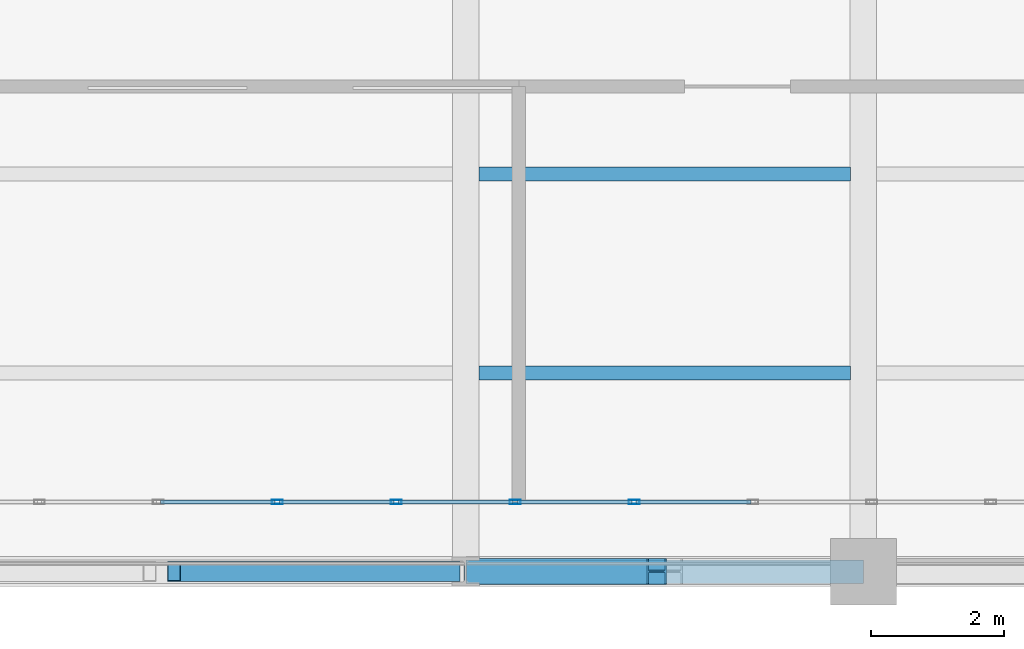
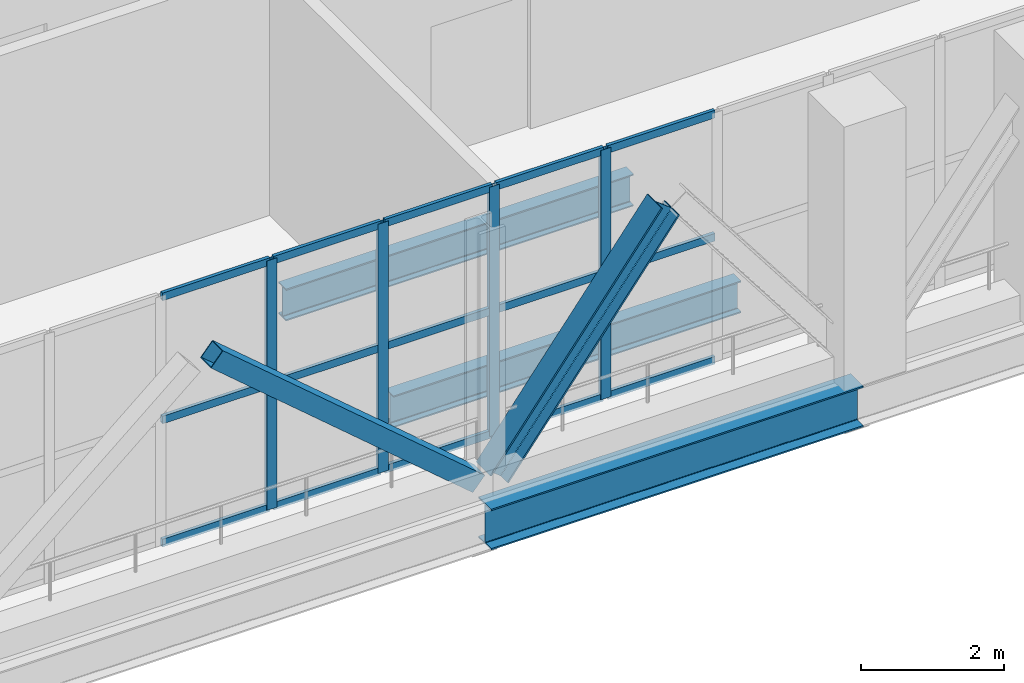
# One storey, part 12 of 27: 21 members, 3 beams, 1 element without a shape of its own.
"""IFC4 building model written with IfcOpenShell, lengths in metres."""

from ifc_helpers import new_model, si_unit, direction, frame, origin, origin_2d, place, context, subcontext, project, spatial, hollow_rectangle, i_section, extrude, material, layer, layer_set, material_profile, profile_set, type_object, element, aggregate, save


model = new_model("IFC4")

# Units and contexts
model_context = context("Model", 3, precision=1e-05, world=origin(), true_north=direction((0.0, 1.0)))
body_context = subcontext(model_context, "Body", "Model", "MODEL_VIEW")
ifc_project = project(units=[si_unit("LENGTHUNIT", "METRE"), si_unit("AREAUNIT", "SQUARE_METRE"), si_unit("VOLUMEUNIT", "CUBIC_METRE"), si_unit("PLANEANGLEUNIT", "RADIAN"), si_unit("MASSUNIT", "GRAM", prefix="KILO")], contexts=[model_context])

# Site, building, storey
site_placement = place(None, origin())
site = spatial("IfcSite", under=ifc_project, at=site_placement, CompositionType="ELEMENT")
building_placement = place(site_placement, origin())
building = spatial("IfcBuilding", under=site, at=building_placement, Name="Mawjdan Bourse Tower", CompositionType="ELEMENT")
storey_placement = place(building_placement, frame((0.0, 0.0, 155.699951171875)))
storey = spatial("IfcBuildingStorey", under=building, at=storey_placement, Name="L37", CompositionType="ELEMENT", Elevation=155.699951171875)

# Members
ifc_material_1 = material(Name="Structural Steel S460", Category="steel")
ifc_material_profile_1 = material_profile(ifc_material_1, hollow_rectangle(XDim=0.300048828125, YDim=0.300048828125, WallThickness=0.012451171875, at=origin_2d()), Name="HSS300X300X12.5")
ifc_profile_set_1 = profile_set([ifc_material_profile_1], Name="Structural Steel S460")
member_type_1 = type_object("IfcMemberType", Name="BRC-HSS300X300X12.5", PredefinedType="BRACE", material=ifc_profile_set_1)
member_1_placement = place(storey_placement, frame((37.595947265625, 3.0, 3.800048828125), z_axis=(0.760807747852, 0.0, -0.648977326883), x_axis=(0.0, 1.0, 0.0)))
element("IfcMember", 1, at=member_1_placement, inside=storey, type_object=member_type_1, Name="L37 East Outrigger Truss 1 Diagonal 4", PredefinedType="BRACE", context=body_context, shape_type="SweptSolid", body=[
    extrude(hollow_rectangle(XDim=0.300048828125, YDim=0.300048828125, WallThickness=0.012451171875, at=origin_2d()), origin(), (0.0, 0.0, 1.0), 5.54736328125),
])
ifc_material_profile_2 = material_profile(ifc_material_1, i_section(OverallWidth=0.39404296875, OverallDepth=0.375, WebThickness=0.017333984375, FlangeThickness=0.027587890625, FilletRadius=0.022216796875, at=origin_2d()), Name="W14X145")
ifc_profile_set_2 = profile_set([ifc_material_profile_2], Name="Structural Steel S460")
member_type_2 = type_object("IfcMemberType", Name="BRC-W14X145", PredefinedType="BRACE", material=ifc_profile_set_2)
member_2_placement = place(storey_placement, frame((42.1201171875, 3.0, 0.199951171875), z_axis=(0.60838860677, 0.0, 0.793639277728), x_axis=(0.0, 1.0, 0.0)))
element("IfcMember", 2, at=member_2_placement, inside=storey, type_object=member_type_2, Name="L37 South Perimeter Belt Truss Diagonal 1", PredefinedType="BRACE", context=body_context, shape_type="SweptSolid", body=[
    extrude(i_section(OverallWidth=0.39404296875, OverallDepth=0.375, WebThickness=0.017333984375, FlangeThickness=0.027587890625, FilletRadius=0.022216796875, at=origin_2d()), origin(), (0.0, 0.0, 1.0), 4.5361328125),
])

# Beams
ifc_material_2 = material(Name="Structural Steel S355", Category="steel")
ifc_material_profile_3 = material_profile(ifc_material_2, i_section(OverallWidth=0.2119140625, OverallDepth=0.5439453125, WebThickness=0.01318359375, FlangeThickness=0.021240234375, FilletRadius=0.01708984375, at=origin_2d()), Name="W21X83")
ifc_profile_set_3 = profile_set([ifc_material_profile_3], Name="Structural Steel S355")
beam_type_1 = type_object("IfcBeamType", Name="JST-W21X83", PredefinedType="JOIST", material=ifc_profile_set_3)
for number, where, z_axis, x_axis, name in (
    (3, (42.197509765625, 6.0, -0.552001953125), (1.0, 0.0, 0.0), (0.0, 1.0, 0.0), "L37 East Wing Composite Joist 022"),
    (4, (42.197509765625, 9.0, -0.552001953125), (1.0, 0.0, 0.0), (0.0, 1.0, 0.0), "L37 East Wing Composite Joist 028"),
):
    element("IfcBeam", number, at=place(storey_placement, frame(where, z_axis=z_axis, x_axis=x_axis)), inside=storey, type_object=beam_type_1, Name=name, PredefinedType="JOIST", context=body_context, shape_type="SweptSolid", body=[
        extrude(i_section(OverallWidth=0.2119140625, OverallDepth=0.5439453125, WebThickness=0.01318359375, FlangeThickness=0.021240234375, FilletRadius=0.01708984375, at=origin_2d()), origin(), (0.0, 0.0, 1.0), 5.60498046875),
    ])

# Curtain wall, members
ifc_material_3 = material(Name="Thermally Broken Aluminium and Solar Glass", Category="aluminium")
ifc_layer = layer(ifc_material_3, 0.219970703125)
ifc_layer_set = layer_set([ifc_layer], Name="Thermally Broken Aluminium and Solar Glass")
curtain_wall_type = type_object("IfcCurtainWallType", Name="CW-RFG", PredefinedType="USERDEFINED", material=ifc_layer_set)
curtain_wall_placement = place(storey_placement, origin())
curtain_wall = element("IfcCurtainWall", 5, at=curtain_wall_placement, inside=storey, type_object=curtain_wall_type, Name="L37 Refuge Band South Louvre Curtain Wall", ObjectType="REFUGE BAND LOUVRE SCREEN", PredefinedType="USERDEFINED")
ifc_material_4 = material(Name="Thermally Broken Anodised Aluminium", Category="aluminium")
ifc_material_profile_4 = material_profile(ifc_material_4, hollow_rectangle(XDim=0.06494140625, YDim=0.1650390625, WallThickness=0.00390625, at=origin_2d()), Name="ALU-MUL-165X65")
ifc_profile_set_4 = profile_set([ifc_material_profile_4], Name="Thermally Broken Anodised Aluminium")
member_type_3 = type_object("IfcMemberType", Name="MUL-ALU-MUL-165X65", PredefinedType="MULLION", material=ifc_profile_set_4)
member_3_placement = place(storey_placement, frame((39.155517578125, 4.050048828125, 0.0), z_axis=(0.0, 0.0, 1.0), x_axis=(0.0, 1.0, 0.0)))
member_3 = element("IfcMember", 6, at=member_3_placement, type_object=member_type_3, Name="CW-RFG-L37-RFG-S mullion 9", PredefinedType="MULLION", context=body_context, shape_type="SweptSolid", body=[
    extrude(hollow_rectangle(XDim=0.06494140625, YDim=0.1650390625, WallThickness=0.00390625, at=origin_2d()), origin(), (0.0, 0.0, 1.0), 4.25),
])
member_4_placement = place(storey_placement, frame((40.949951171875, 4.050048828125, 0.0), z_axis=(0.0, 0.0, 1.0), x_axis=(0.0, 1.0, 0.0)))
member_4 = element("IfcMember", 7, at=member_4_placement, type_object=member_type_3, Name="CW-RFG-L37-RFG-S mullion 10", PredefinedType="MULLION", context=body_context, shape_type="SweptSolid", body=[
    extrude(hollow_rectangle(XDim=0.06494140625, YDim=0.1650390625, WallThickness=0.00390625, at=origin_2d()), origin(), (0.0, 0.0, 1.0), 4.25),
])
member_5_placement = place(storey_placement, frame((42.744384765625, 4.050048828125, 0.0), z_axis=(0.0, 0.0, 1.0), x_axis=(0.0, 1.0, 0.0)))
member_5 = element("IfcMember", 8, at=member_5_placement, type_object=member_type_3, Name="CW-RFG-L37-RFG-S mullion 11", PredefinedType="MULLION", context=body_context, shape_type="SweptSolid", body=[
    extrude(hollow_rectangle(XDim=0.06494140625, YDim=0.1650390625, WallThickness=0.00390625, at=origin_2d()), origin(), (0.0, 0.0, 1.0), 4.25),
])
member_6_placement = place(storey_placement, frame((44.538818359375, 4.050048828125, 0.0), z_axis=(0.0, 0.0, 1.0), x_axis=(0.0, 1.0, 0.0)))
member_6 = element("IfcMember", 9, at=member_6_placement, type_object=member_type_3, Name="CW-RFG-L37-RFG-S mullion 12", PredefinedType="MULLION", context=body_context, shape_type="SweptSolid", body=[
    extrude(hollow_rectangle(XDim=0.06494140625, YDim=0.1650390625, WallThickness=0.00390625, at=origin_2d()), origin(), (0.0, 0.0, 1.0), 4.25),
])

# Beam
ifc_material_profile_5 = material_profile(ifc_material_2, i_section(OverallWidth=0.35498046875, OverallDepth=0.696044921875, WebThickness=0.015380859375, FlangeThickness=0.02490234375, FilletRadius=0.019775390625, at=origin_2d()), Name="W27X146")
ifc_profile_set_5 = profile_set([ifc_material_profile_5], Name="Structural Steel S355")
beam_type_2 = type_object("IfcBeamType", Name="SPN-W27X146", PredefinedType="SPANDREL", material=ifc_profile_set_5)
beam_placement = place(storey_placement, frame((42.0, 3.0, -0.6279296875), z_axis=(1.0, 0.0, 0.0), x_axis=(0.0, 1.0, 0.0)))
element("IfcBeam", 10, at=beam_placement, inside=storey, type_object=beam_type_2, Name="L37 Perimeter Masonry-Shelf Spandrel 010", PredefinedType="SPANDREL", context=body_context, shape_type="SweptSolid", body=[
    extrude(i_section(OverallWidth=0.35498046875, OverallDepth=0.696044921875, WebThickness=0.015380859375, FlangeThickness=0.02490234375, FilletRadius=0.019775390625, at=origin_2d()), origin(), (0.0, 0.0, 1.0), 6.0),
])

# Member
ifc_material_profile_6 = material_profile(ifc_material_4, hollow_rectangle(XDim=0.054931640625, YDim=0.1298828125, WallThickness=0.00341796875, at=origin_2d()), Name="ALU-TRN-130X55")
ifc_profile_set_6 = profile_set([ifc_material_profile_6], Name="Thermally Broken Anodised Aluminium")
member_type_4 = type_object("IfcMemberType", Name="TRN-ALU-TRN-130X55", PredefinedType="USERDEFINED", material=ifc_profile_set_6)
member_7_placement = place(storey_placement, frame((37.3935546875, 4.050048828125, 0.027587890625), z_axis=(1.0, 0.0, 0.0), x_axis=(0.0, 1.0, 0.0)))
member_7 = element("IfcMember", 11, at=member_7_placement, type_object=member_type_4, Name="CW-RFG-L37-RFG-S transom 8.1", ObjectType="TRANSOM", PredefinedType="USERDEFINED", context=body_context, shape_type="SweptSolid", body=[
    extrude(hollow_rectangle(XDim=0.054931640625, YDim=0.1298828125, WallThickness=0.00341796875, at=origin_2d()), origin(), (0.0, 0.0, 1.0), 1.7294921875),
])

member_8_placement = place(storey_placement, frame((37.3935546875, 4.050048828125, 2.125), z_axis=(1.0, 0.0, 0.0), x_axis=(0.0, 1.0, 0.0)))
member_8 = element("IfcMember", 12, at=member_8_placement, type_object=member_type_4, Name="CW-RFG-L37-RFG-S transom 8.2", ObjectType="TRANSOM", PredefinedType="USERDEFINED", context=body_context, shape_type="SweptSolid", body=[
    extrude(hollow_rectangle(XDim=0.054931640625, YDim=0.1298828125, WallThickness=0.00341796875, at=origin_2d()), origin(), (0.0, 0.0, 1.0), 1.7294921875),
])

member_9_placement = place(storey_placement, frame((37.3935546875, 4.050048828125, 4.22265625), z_axis=(1.0, 0.0, 0.0), x_axis=(0.0, 1.0, 0.0)))
member_9 = element("IfcMember", 13, at=member_9_placement, type_object=member_type_4, Name="CW-RFG-L37-RFG-S transom 8.3", ObjectType="TRANSOM", PredefinedType="USERDEFINED", context=body_context, shape_type="SweptSolid", body=[
    extrude(hollow_rectangle(XDim=0.054931640625, YDim=0.1298828125, WallThickness=0.00341796875, at=origin_2d()), origin(), (0.0, 0.0, 1.0), 1.7294921875),
])

member_10_placement = place(storey_placement, frame((39.18798828125, 4.050048828125, 0.027587890625), z_axis=(1.0, 0.0, 0.0), x_axis=(0.0, 1.0, 0.0)))
member_10 = element("IfcMember", 14, at=member_10_placement, type_object=member_type_4, Name="CW-RFG-L37-RFG-S transom 9.1", ObjectType="TRANSOM", PredefinedType="USERDEFINED", context=body_context, shape_type="SweptSolid", body=[
    extrude(hollow_rectangle(XDim=0.054931640625, YDim=0.1298828125, WallThickness=0.00341796875, at=origin_2d()), origin(), (0.0, 0.0, 1.0), 1.7294921875),
])

member_11_placement = place(storey_placement, frame((39.18798828125, 4.050048828125, 2.125), z_axis=(1.0, 0.0, 0.0), x_axis=(0.0, 1.0, 0.0)))
member_11 = element("IfcMember", 15, at=member_11_placement, type_object=member_type_4, Name="CW-RFG-L37-RFG-S transom 9.2", ObjectType="TRANSOM", PredefinedType="USERDEFINED", context=body_context, shape_type="SweptSolid", body=[
    extrude(hollow_rectangle(XDim=0.054931640625, YDim=0.1298828125, WallThickness=0.00341796875, at=origin_2d()), origin(), (0.0, 0.0, 1.0), 1.7294921875),
])

member_12_placement = place(storey_placement, frame((39.18798828125, 4.050048828125, 4.22265625), z_axis=(1.0, 0.0, 0.0), x_axis=(0.0, 1.0, 0.0)))
member_12 = element("IfcMember", 16, at=member_12_placement, type_object=member_type_4, Name="CW-RFG-L37-RFG-S transom 9.3", ObjectType="TRANSOM", PredefinedType="USERDEFINED", context=body_context, shape_type="SweptSolid", body=[
    extrude(hollow_rectangle(XDim=0.054931640625, YDim=0.1298828125, WallThickness=0.00341796875, at=origin_2d()), origin(), (0.0, 0.0, 1.0), 1.7294921875),
])

member_13_placement = place(storey_placement, frame((40.982421875, 4.050048828125, 0.027587890625), z_axis=(1.0, 0.0, 0.0), x_axis=(0.0, 1.0, 0.0)))
member_13 = element("IfcMember", 17, at=member_13_placement, type_object=member_type_4, Name="CW-RFG-L37-RFG-S transom 10.1", ObjectType="TRANSOM", PredefinedType="USERDEFINED", context=body_context, shape_type="SweptSolid", body=[
    extrude(hollow_rectangle(XDim=0.054931640625, YDim=0.1298828125, WallThickness=0.00341796875, at=origin_2d()), origin(), (0.0, 0.0, 1.0), 1.7294921875),
])

member_14_placement = place(storey_placement, frame((40.982421875, 4.050048828125, 2.125), z_axis=(1.0, 0.0, 0.0), x_axis=(0.0, 1.0, 0.0)))
member_14 = element("IfcMember", 18, at=member_14_placement, type_object=member_type_4, Name="CW-RFG-L37-RFG-S transom 10.2", ObjectType="TRANSOM", PredefinedType="USERDEFINED", context=body_context, shape_type="SweptSolid", body=[
    extrude(hollow_rectangle(XDim=0.054931640625, YDim=0.1298828125, WallThickness=0.00341796875, at=origin_2d()), origin(), (0.0, 0.0, 1.0), 1.7294921875),
])

member_15_placement = place(storey_placement, frame((40.982421875, 4.050048828125, 4.22265625), z_axis=(1.0, 0.0, 0.0), x_axis=(0.0, 1.0, 0.0)))
member_15 = element("IfcMember", 19, at=member_15_placement, type_object=member_type_4, Name="CW-RFG-L37-RFG-S transom 10.3", ObjectType="TRANSOM", PredefinedType="USERDEFINED", context=body_context, shape_type="SweptSolid", body=[
    extrude(hollow_rectangle(XDim=0.054931640625, YDim=0.1298828125, WallThickness=0.00341796875, at=origin_2d()), origin(), (0.0, 0.0, 1.0), 1.7294921875),
])

member_16_placement = place(storey_placement, frame((42.77685546875, 4.050048828125, 0.027587890625), z_axis=(1.0, 0.0, 0.0), x_axis=(0.0, 1.0, 0.0)))
member_16 = element("IfcMember", 20, at=member_16_placement, type_object=member_type_4, Name="CW-RFG-L37-RFG-S transom 11.1", ObjectType="TRANSOM", PredefinedType="USERDEFINED", context=body_context, shape_type="SweptSolid", body=[
    extrude(hollow_rectangle(XDim=0.054931640625, YDim=0.1298828125, WallThickness=0.00341796875, at=origin_2d()), origin(), (0.0, 0.0, 1.0), 1.7294921875),
])

member_17_placement = place(storey_placement, frame((42.77685546875, 4.050048828125, 2.125), z_axis=(1.0, 0.0, 0.0), x_axis=(0.0, 1.0, 0.0)))
member_17 = element("IfcMember", 21, at=member_17_placement, type_object=member_type_4, Name="CW-RFG-L37-RFG-S transom 11.2", ObjectType="TRANSOM", PredefinedType="USERDEFINED", context=body_context, shape_type="SweptSolid", body=[
    extrude(hollow_rectangle(XDim=0.054931640625, YDim=0.1298828125, WallThickness=0.00341796875, at=origin_2d()), origin(), (0.0, 0.0, 1.0), 1.7294921875),
])

member_18_placement = place(storey_placement, frame((42.77685546875, 4.050048828125, 4.22265625), z_axis=(1.0, 0.0, 0.0), x_axis=(0.0, 1.0, 0.0)))
member_18 = element("IfcMember", 22, at=member_18_placement, type_object=member_type_4, Name="CW-RFG-L37-RFG-S transom 11.3", ObjectType="TRANSOM", PredefinedType="USERDEFINED", context=body_context, shape_type="SweptSolid", body=[
    extrude(hollow_rectangle(XDim=0.054931640625, YDim=0.1298828125, WallThickness=0.00341796875, at=origin_2d()), origin(), (0.0, 0.0, 1.0), 1.7294921875),
])

member_19_placement = place(storey_placement, frame((44.5712890625, 4.050048828125, 0.027587890625), z_axis=(1.0, 0.0, 0.0), x_axis=(0.0, 1.0, 0.0)))
member_19 = element("IfcMember", 23, at=member_19_placement, type_object=member_type_4, Name="CW-RFG-L37-RFG-S transom 12.1", ObjectType="TRANSOM", PredefinedType="USERDEFINED", context=body_context, shape_type="SweptSolid", body=[
    extrude(hollow_rectangle(XDim=0.054931640625, YDim=0.1298828125, WallThickness=0.00341796875, at=origin_2d()), origin(), (0.0, 0.0, 1.0), 1.7294921875),
])

member_20_placement = place(storey_placement, frame((44.5712890625, 4.050048828125, 2.125), z_axis=(1.0, 0.0, 0.0), x_axis=(0.0, 1.0, 0.0)))
member_20 = element("IfcMember", 24, at=member_20_placement, type_object=member_type_4, Name="CW-RFG-L37-RFG-S transom 12.2", ObjectType="TRANSOM", PredefinedType="USERDEFINED", context=body_context, shape_type="SweptSolid", body=[
    extrude(hollow_rectangle(XDim=0.054931640625, YDim=0.1298828125, WallThickness=0.00341796875, at=origin_2d()), origin(), (0.0, 0.0, 1.0), 1.7294921875),
])

member_21_placement = place(storey_placement, frame((44.5712890625, 4.050048828125, 4.22265625), z_axis=(1.0, 0.0, 0.0), x_axis=(0.0, 1.0, 0.0)))
member_21 = element("IfcMember", 25, at=member_21_placement, type_object=member_type_4, Name="CW-RFG-L37-RFG-S transom 12.3", ObjectType="TRANSOM", PredefinedType="USERDEFINED", context=body_context, shape_type="SweptSolid", body=[
    extrude(hollow_rectangle(XDim=0.054931640625, YDim=0.1298828125, WallThickness=0.00341796875, at=origin_2d()), origin(), (0.0, 0.0, 1.0), 1.7294921875),
])

aggregate(curtain_wall, [member_3, member_4, member_5, member_6, member_7, member_8, member_9, member_10, member_11, member_12, member_13, member_14, member_15, member_16, member_17, member_18, member_19, member_20, member_21])

save(model, "model.ifc")
